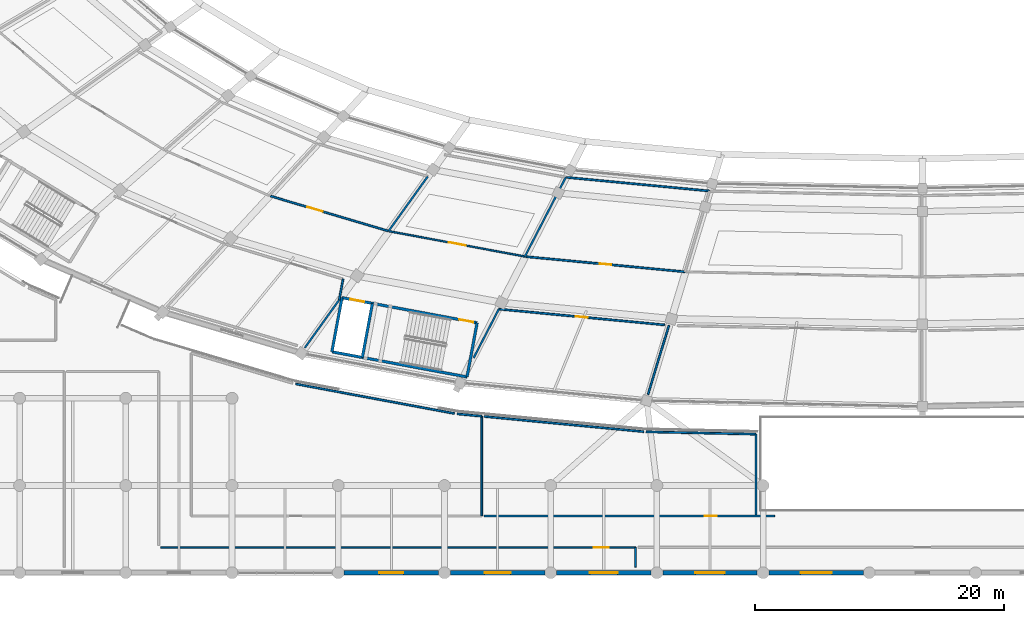
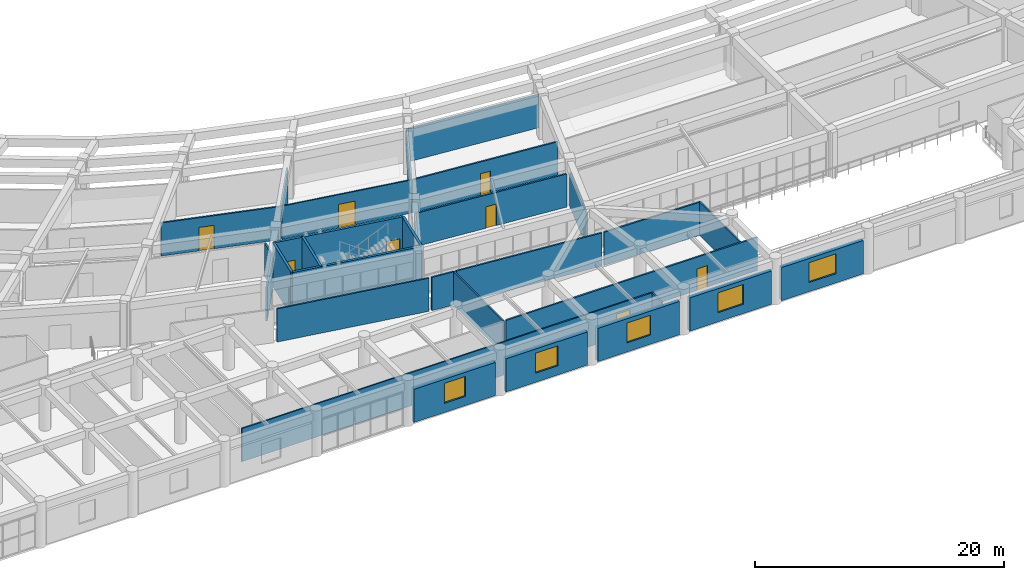
# One storey, part 95 of 145: 30 walls, 8 doors, 5 windows, 13 openings.
"""IFC4 building model written with IfcOpenShell, lengths in metres."""

from ifc_helpers import new_model, si_unit, direction, frame, frame_2d, origin, place, context, subcontext, project, spatial, rectangle, extrude, material, layer, layer_set, type_object, element, fill, save


model = new_model("IFC4")

# Units and contexts
model_context = context("Model", 3, precision=1e-05, world=origin(), true_north=direction((0.0, 1.0)))
body_context = subcontext(model_context, "Body", "Model", "MODEL_VIEW")
ifc_project = project(units=[si_unit("LENGTHUNIT", "METRE"), si_unit("AREAUNIT", "SQUARE_METRE"), si_unit("VOLUMEUNIT", "CUBIC_METRE"), si_unit("PLANEANGLEUNIT", "RADIAN"), si_unit("MASSUNIT", "GRAM", prefix="KILO")], contexts=[model_context])

# Site, building, storey
site_placement = place(None, origin())
site = spatial("IfcSite", under=ifc_project, at=site_placement, CompositionType="ELEMENT")
building_placement = place(site_placement, origin())
building = spatial("IfcBuilding", under=site, at=building_placement, Name="Mphavela Belvedere Stadium", CompositionType="ELEMENT")
storey_placement = place(building_placement, frame((0.0, 0.0, 10.199951171875)))
storey = spatial("IfcBuildingStorey", under=building, at=storey_placement, Name="L02", CompositionType="ELEMENT", Elevation=10.199951171875)

# Walls
ifc_material_1 = material(Name="Concrete C40/50", Category="concrete")
ifc_layer_1 = layer(ifc_material_1, 0.219970703125)
ifc_layer_set_1 = layer_set([ifc_layer_1], Name="Concrete C40/50")
wall_type_1 = type_object("IfcWallType", Name="WAL-CORE-SHEAR-220", PredefinedType="SHEAR", material=ifc_layer_set_1)
wall_1_placement = place(storey_placement, frame((78.477294921875, 15.707275390625, 0.0), z_axis=(0.0, 0.0, 1.0), x_axis=(-0.983093434234, 0.183104613723, 0.0)))
element("IfcWall", 1, at=wall_1_placement, inside=storey, type_object=wall_type_1, Name="Core C11 shear wall L02 rear", PredefinedType="SHEAR", context=body_context, shape_type="SweptSolid", body=[
    extrude(rectangle(XDim=11.02001953125, YDim=0.219970703125, at=frame_2d((5.510009765625, 0.0))), origin(), (0.0, 0.0, 1.0), 4.25),
])
for number, where, z_axis, x_axis, name in (
    (2, (79.28466796875, 20.042724609375, 0.0), (0.0, 0.0, 1.0), (-0.183078394814, -0.983098317236, 0.0), "Core C11 shear wall L02 left"),
    (3, (68.450927734375, 22.060546875, 0.0), (0.0, 0.0, 1.0), (-0.183078394814, -0.983098317236, 0.0), "Core C11 shear wall L02 right"),
):
    element("IfcWall", number, at=place(storey_placement, frame(where, z_axis=z_axis, x_axis=x_axis)), inside=storey, type_object=wall_type_1, Name=name, PredefinedType="SHEAR", context=body_context, shape_type="SweptSolid", body=[
        extrude(rectangle(XDim=4.409912109375, YDim=0.219970703125, at=frame_2d((2.205078125, 0.0))), origin(), (0.0, 0.0, 1.0), 4.25),
    ])

# Wall, openings, doors
wall_2_placement = place(storey_placement, frame((79.28466796875, 20.042724609375, 0.0), z_axis=(0.0, 0.0, 1.0), x_axis=(-0.983093434234, 0.183104613723, 0.0)))
wall_2 = element("IfcWall", 4, at=wall_2_placement, inside=storey, type_object=wall_type_1, Name="Core C11 shear wall L02 front", PredefinedType="SHEAR", context=body_context, shape_type="SweptSolid", body=[
    extrude(rectangle(XDim=11.02001953125, YDim=0.219970703125, at=frame_2d((5.510009765625, 0.0))), origin(), (0.0, 0.0, 1.0), 4.25),
])
opening_1_placement = place(wall_2_placement, frame((0.300048828125, 0.0, 0.0)))
opening_1 = element("IfcOpeningElement", 5, at=opening_1_placement, cuts=wall_2, Name="Opening SD-059", PredefinedType="OPENING", context=body_context, shape_type="SweptSolid", body=[
    extrude(rectangle(XDim=1.14990234375, YDim=2.14990234375, at=frame_2d((0.574951171875, 1.074951171875))), frame((0.0, 0.1201171875, 0.0), z_axis=(0.0, -1.0, 0.0), x_axis=(1.0, 0.0, 0.0)), (0.0, 0.0, 1.0), 0.239990234375),
])
opening_2_placement = place(wall_2_placement, frame((9.22998046875, 0.0, 0.0)))
opening_2 = element("IfcOpeningElement", 6, at=opening_2_placement, cuts=wall_2, Name="Opening LD-059", PredefinedType="OPENING", context=body_context, shape_type="SweptSolid", body=[
    extrude(rectangle(XDim=1.10009765625, YDim=2.14990234375, at=frame_2d((0.550048828125, 1.074951171875))), frame((0.0, 0.1201171875, 0.0), z_axis=(0.0, -1.0, 0.0), x_axis=(1.0, 0.0, 0.0)), (0.0, 0.0, 1.0), 0.239990234375),
])
ifc_material_2 = material(Name="Stainless steel center-parting lift landing door", Category="steel")
door_type_1 = type_object("IfcDoorType", Name="DR-LIFT-SLIDE-1100", OperationType="NOTDEFINED", PredefinedType="DOOR", material=ifc_material_2)
door_1_placement = place(opening_2_placement, origin())
door_1 = element("IfcDoor", 7, at=door_1_placement, inside=storey, type_object=door_type_1, Name="Lift landing sliding door PL05 L02", OperationType="DOUBLE_DOOR_SLIDING", OverallHeight=2.14990234375, OverallWidth=1.10009765625, PredefinedType="DOOR", context=body_context, shape_type="SweptSolid", body=[
    extrude(rectangle(XDim=1.10009765625, YDim=2.14990234375, at=frame_2d((0.550048828125, 1.074951171875))), frame((0.0, 0.02490234375, 0.0), z_axis=(0.0, -1.0, 0.0), x_axis=(1.0, 0.0, 0.0)), (0.0, 0.0, 1.0), 0.050048828125),
])
fill(opening_2, door_1)
ifc_material_3 = material(Name="Steel acoustic fire-resisting stair doorset", Category="steel")
door_type_2 = type_object("IfcDoorType", Name="DR-STAIR-FIRE-1150", OperationType="NOTDEFINED", PredefinedType="DOOR", material=ifc_material_3)
door_2_placement = place(opening_1_placement, origin())
door_2 = element("IfcDoor", 8, at=door_2_placement, inside=storey, type_object=door_type_2, Name="Escape stair fire door C11 L02", OperationType="SINGLE_SWING_LEFT", OverallHeight=2.14990234375, OverallWidth=1.14990234375, PredefinedType="DOOR", context=body_context, shape_type="SweptSolid", body=[
    extrude(rectangle(XDim=1.14990234375, YDim=2.14990234375, at=frame_2d((0.574951171875, 1.074951171875))), frame((0.0, 0.02490234375, 0.0), z_axis=(0.0, -1.0, 0.0), x_axis=(1.0, 0.0, 0.0)), (0.0, 0.0, 1.0), 0.050048828125),
])
fill(opening_1, door_2)

# Wall
wall_3_placement = place(storey_placement, frame((70.888916015625, 21.6064453125, 0.0), z_axis=(0.0, 0.0, 1.0), x_axis=(-0.183078394814, -0.983098317236, 0.0)))
element("IfcWall", 9, at=wall_3_placement, inside=storey, type_object=wall_type_1, Name="Core C11 shear wall L02 div", PredefinedType="SHEAR", context=body_context, shape_type="SweptSolid", body=[
    extrude(rectangle(XDim=4.409912109375, YDim=0.219970703125, at=frame_2d((2.205078125, 0.0))), origin(), (0.0, 0.0, 1.0), 4.25),
])

# Wall, opening, window
ifc_material_4 = material(Name="Honed ashlar limestone masonry", Category="masonry")
ifc_layer_2 = layer(ifc_material_4, 0.35009765625)
ifc_layer_set_2 = layer_set([ifc_layer_2], Name="Honed ashlar limestone masonry")
wall_type_2 = type_object("IfcWallType", Name="WAL-EXT-ASHLAR-350", PredefinedType="STANDARD", material=ifc_layer_set_2)
wall_4_placement = place(storey_placement, frame((76.194091796875, 0.0, 0.0), z_axis=(0.0, 0.0, 1.0), x_axis=(-1.0, 0.0, 0.0)))
wall_4 = element("IfcWall", 10, at=wall_4_placement, inside=storey, type_object=wall_type_2, Name="South Axial Triumphal Peristyle Portico outer facade bay L02-09", PredefinedType="STANDARD", context=body_context, shape_type="SweptSolid", body=[
    extrude(rectangle(XDim=7.572998046875, YDim=0.35009765625, at=frame_2d((3.78662109375, 0.0))), origin(), (0.0, 0.0, 1.0), 3.260009765625),
])
opening_3_placement = place(wall_4_placement, frame((2.81640625, 0.0, 0.89990234375)))
opening_3 = element("IfcOpeningElement", 11, at=opening_3_placement, cuts=wall_4, Name="Opening W-073", PredefinedType="OPENING", context=body_context, shape_type="SweptSolid", body=[
    extrude(rectangle(XDim=1.93994140625, YDim=1.949951171875, at=frame_2d((0.969970703125, 0.97509765625))), frame((0.0, 0.18505859375, 0.0), z_axis=(0.0, -1.0, 0.0), x_axis=(1.0, 0.0, 0.0)), (0.0, 0.0, 1.0), 0.3701171875),
])
ifc_material_5 = material(Name="Bronze-anodised thermally broken aluminium window", Category="aluminium")
window_type_1 = type_object("IfcWindowType", Name="WIN-EXT-29", PartitioningType="SINGLE_PANEL", PredefinedType="WINDOW", material=ifc_material_5)
window_1_placement = place(opening_3_placement, origin())
window_1 = element("IfcWindow", 12, at=window_1_placement, inside=storey, type_object=window_type_1, Name="South Axial Triumphal Peristyle Portico classical window W-073", OverallHeight=1.949951171875, OverallWidth=1.93994140625, PartitioningType="SINGLE_PANEL", PredefinedType="WINDOW", context=body_context, shape_type="SweptSolid", body=[
    extrude(rectangle(XDim=1.93994140625, YDim=1.949951171875, at=frame_2d((0.969970703125, 0.97509765625))), frame((0.0, 0.030029296875, 0.0), z_axis=(0.0, -1.0, 0.0), x_axis=(1.0, 0.0, 0.0)), (0.0, 0.0, 1.0), 0.06005859375),
])
fill(opening_3, window_1)

wall_5_placement = place(storey_placement, frame((84.7119140625, 0.0, 0.0), z_axis=(0.0, 0.0, 1.0), x_axis=(-1.0, 0.0, 0.0)))
wall_5 = element("IfcWall", 13, at=wall_5_placement, inside=storey, type_object=wall_type_2, Name="South Axial Triumphal Peristyle Portico outer facade bay L02-10", PredefinedType="STANDARD", context=body_context, shape_type="SweptSolid", body=[
    extrude(rectangle(XDim=7.572021484375, YDim=0.35009765625, at=frame_2d((3.7861328125, 0.0))), origin(), (0.0, 0.0, 1.0), 3.260009765625),
])
opening_4_placement = place(wall_5_placement, frame((2.74609375, 0.0, 0.89990234375)))
opening_4 = element("IfcOpeningElement", 14, at=opening_4_placement, cuts=wall_5, Name="Opening W-074", PredefinedType="OPENING", context=body_context, shape_type="SweptSolid", body=[
    extrude(rectangle(XDim=2.080078125, YDim=1.949951171875, at=frame_2d((1.0400390625, 0.97509765625))), frame((0.0, 0.18505859375, 0.0), z_axis=(0.0, -1.0, 0.0), x_axis=(1.0, 0.0, 0.0)), (0.0, 0.0, 1.0), 0.3701171875),
])
ifc_material_6 = material(Name="Bronze-anodised thermally broken aluminium window", Category="aluminium")
window_type_2 = type_object("IfcWindowType", Name="WIN-EXT-30", PartitioningType="SINGLE_PANEL", PredefinedType="WINDOW", material=ifc_material_6)
window_2_placement = place(opening_4_placement, origin())
window_2 = element("IfcWindow", 15, at=window_2_placement, inside=storey, type_object=window_type_2, Name="South Axial Triumphal Peristyle Portico classical window W-074", OverallHeight=1.949951171875, OverallWidth=2.080078125, PartitioningType="SINGLE_PANEL", PredefinedType="WINDOW", context=body_context, shape_type="SweptSolid", body=[
    extrude(rectangle(XDim=2.080078125, YDim=1.949951171875, at=frame_2d((1.0400390625, 0.97509765625))), frame((0.0, 0.030029296875, 0.0), z_axis=(0.0, -1.0, 0.0), x_axis=(1.0, 0.0, 0.0)), (0.0, 0.0, 1.0), 0.06005859375),
])
fill(opening_4, window_2)

wall_6_placement = place(storey_placement, frame((93.23095703125, 0.0, 0.0), z_axis=(0.0, 0.0, 1.0), x_axis=(-1.0, 0.0, 0.0)))
wall_6 = element("IfcWall", 16, at=wall_6_placement, inside=storey, type_object=wall_type_2, Name="South Axial Triumphal Peristyle Portico outer facade bay L02-11", PredefinedType="STANDARD", context=body_context, shape_type="SweptSolid", body=[
    extrude(rectangle(XDim=7.572998046875, YDim=0.35009765625, at=frame_2d((3.78662109375, 0.0))), origin(), (0.0, 0.0, 1.0), 3.260009765625),
])
opening_5_placement = place(wall_6_placement, frame((2.676513671875, 0.0, 0.89990234375)))
opening_5 = element("IfcOpeningElement", 17, at=opening_5_placement, cuts=wall_6, Name="Opening W-075", PredefinedType="OPENING", context=body_context, shape_type="SweptSolid", body=[
    extrude(rectangle(XDim=2.219970703125, YDim=1.949951171875, at=frame_2d((1.10986328125, 0.97509765625))), frame((0.0, 0.18505859375, 0.0), z_axis=(0.0, -1.0, 0.0), x_axis=(1.0, 0.0, 0.0)), (0.0, 0.0, 1.0), 0.3701171875),
])
ifc_material_7 = material(Name="Bronze-anodised thermally broken aluminium window", Category="aluminium")
window_type_3 = type_object("IfcWindowType", Name="WIN-EXT-31", PartitioningType="SINGLE_PANEL", PredefinedType="WINDOW", material=ifc_material_7)
window_3_placement = place(opening_5_placement, origin())
window_3 = element("IfcWindow", 18, at=window_3_placement, inside=storey, type_object=window_type_3, Name="South Axial Triumphal Peristyle Portico classical window W-075", OverallHeight=1.949951171875, OverallWidth=2.219970703125, PartitioningType="SINGLE_PANEL", PredefinedType="WINDOW", context=body_context, shape_type="SweptSolid", body=[
    extrude(rectangle(XDim=2.219970703125, YDim=1.949951171875, at=frame_2d((1.10986328125, 0.97509765625))), frame((0.0, 0.030029296875, 0.0), z_axis=(0.0, -1.0, 0.0), x_axis=(1.0, 0.0, 0.0)), (0.0, 0.0, 1.0), 0.06005859375),
])
fill(opening_5, window_3)

wall_7_placement = place(storey_placement, frame((101.7490234375, 0.0, 0.0), z_axis=(0.0, 0.0, 1.0), x_axis=(-1.0, 0.0, 0.0)))
wall_7 = element("IfcWall", 19, at=wall_7_placement, inside=storey, type_object=wall_type_2, Name="South Axial Triumphal Peristyle Portico outer facade bay L02-12", PredefinedType="STANDARD", context=body_context, shape_type="SweptSolid", body=[
    extrude(rectangle(XDim=7.572021484375, YDim=0.35009765625, at=frame_2d((3.7861328125, 0.0))), origin(), (0.0, 0.0, 1.0), 3.260009765625),
])
opening_6_placement = place(wall_7_placement, frame((2.60595703125, 0.0, 0.89990234375)))
opening_6 = element("IfcOpeningElement", 20, at=opening_6_placement, cuts=wall_7, Name="Opening W-076", PredefinedType="OPENING", context=body_context, shape_type="SweptSolid", body=[
    extrude(rectangle(XDim=2.360107421875, YDim=1.949951171875, at=frame_2d((1.18017578125, 0.97509765625))), frame((0.0, 0.18505859375, 0.0), z_axis=(0.0, -1.0, 0.0), x_axis=(1.0, 0.0, 0.0)), (0.0, 0.0, 1.0), 0.3701171875),
])
ifc_material_8 = material(Name="Bronze-anodised thermally broken aluminium window", Category="aluminium")
window_type_4 = type_object("IfcWindowType", Name="WIN-EXT-32", PartitioningType="SINGLE_PANEL", PredefinedType="WINDOW", material=ifc_material_8)
window_4_placement = place(opening_6_placement, origin())
window_4 = element("IfcWindow", 21, at=window_4_placement, inside=storey, type_object=window_type_4, Name="South Axial Triumphal Peristyle Portico classical window W-076", OverallHeight=1.949951171875, OverallWidth=2.360107421875, PartitioningType="SINGLE_PANEL", PredefinedType="WINDOW", context=body_context, shape_type="SweptSolid", body=[
    extrude(rectangle(XDim=2.360107421875, YDim=1.949951171875, at=frame_2d((1.18017578125, 0.97509765625))), frame((0.0, 0.030029296875, 0.0), z_axis=(0.0, -1.0, 0.0), x_axis=(1.0, 0.0, 0.0)), (0.0, 0.0, 1.0), 0.06005859375),
])
fill(opening_6, window_4)

wall_8_placement = place(storey_placement, frame((110.26806640625, 0.0, 0.0), z_axis=(0.0, 0.0, 1.0), x_axis=(-1.0, 0.0, 0.0)))
wall_8 = element("IfcWall", 22, at=wall_8_placement, inside=storey, type_object=wall_type_2, Name="South Axial Triumphal Peristyle Portico outer facade bay L02-13", PredefinedType="STANDARD", context=body_context, shape_type="SweptSolid", body=[
    extrude(rectangle(XDim=7.572998046875, YDim=0.35009765625, at=frame_2d((3.78662109375, 0.0))), origin(), (0.0, 0.0, 1.0), 3.260009765625),
])
opening_7_placement = place(wall_8_placement, frame((2.526611328125, 0.0, 0.89990234375)))
opening_7 = element("IfcOpeningElement", 23, at=opening_7_placement, cuts=wall_8, Name="Opening W-077", PredefinedType="OPENING", context=body_context, shape_type="SweptSolid", body=[
    extrude(rectangle(XDim=2.52001953125, YDim=1.949951171875, at=frame_2d((1.260009765625, 0.97509765625))), frame((0.0, 0.18505859375, 0.0), z_axis=(0.0, -1.0, 0.0), x_axis=(1.0, 0.0, 0.0)), (0.0, 0.0, 1.0), 0.3701171875),
])
ifc_material_9 = material(Name="Bronze-anodised thermally broken aluminium window", Category="aluminium")
window_type_5 = type_object("IfcWindowType", Name="WIN-EXT-33", PartitioningType="SINGLE_PANEL", PredefinedType="WINDOW", material=ifc_material_9)
window_5_placement = place(opening_7_placement, origin())
window_5 = element("IfcWindow", 24, at=window_5_placement, inside=storey, type_object=window_type_5, Name="South Axial Triumphal Peristyle Portico classical window W-077", OverallHeight=1.949951171875, OverallWidth=2.52001953125, PartitioningType="SINGLE_PANEL", PredefinedType="WINDOW", context=body_context, shape_type="SweptSolid", body=[
    extrude(rectangle(XDim=2.52001953125, YDim=1.949951171875, at=frame_2d((1.260009765625, 0.97509765625))), frame((0.0, 0.030029296875, 0.0), z_axis=(0.0, -1.0, 0.0), x_axis=(1.0, 0.0, 0.0)), (0.0, 0.0, 1.0), 0.06005859375),
])
fill(opening_7, window_5)

# Wall, opening, door
ifc_material_10 = material(Name="Moisture-resistant sanitary partition assembly")
ifc_layer_3 = layer(ifc_material_10, 0.125)
ifc_layer_set_3 = layer_set([ifc_layer_3], Name="Moisture-resistant sanitary partition assembly")
wall_type_3 = type_object("IfcWallType", Name="WAL-PART-125", PredefinedType="PARTITIONING", material=ifc_layer_set_3)
wall_9_placement = place(storey_placement, frame((83.116455078125, 25.365478515625, 0.0), z_axis=(0.0, 0.0, 1.0), x_axis=(-0.983097372707, 0.183083466695, 0.0)))
wall_9 = element("IfcWall", 25, at=wall_9_placement, inside=storey, type_object=wall_type_3, Name="Room L02-120 corridor partition", PredefinedType="PARTITIONING", context=body_context, shape_type="SweptSolid", body=[
    extrude(rectangle(XDim=11.03466796875, YDim=0.125, at=frame_2d((5.517333984375, 0.0))), origin(), (0.0, 0.0, 1.0), 3.25),
])
opening_8_placement = place(wall_9_placement, frame((4.8173828125, 0.0, 0.0)))
opening_8 = element("IfcOpeningElement", 26, at=opening_8_placement, cuts=wall_9, Name="Opening ID-216", PredefinedType="OPENING", context=body_context, shape_type="SweptSolid", body=[
    extrude(rectangle(XDim=1.39990234375, YDim=2.300048828125, at=frame_2d((0.699951171875, 1.14990234375))), frame((0.0, 0.072509765625, 0.0), z_axis=(0.0, -1.0, 0.0), x_axis=(1.0, 0.0, 0.0)), (0.0, 0.0, 1.0), 0.14501953125),
])
ifc_material_11 = material(Name="Hardwood acoustic timber doorset", Category="wood")
door_type_3 = type_object("IfcDoorType", Name="DR-INT-36", OperationType="NOTDEFINED", PredefinedType="DOOR", material=ifc_material_11)
door_3_placement = place(opening_8_placement, origin())
door_3 = element("IfcDoor", 27, at=door_3_placement, inside=storey, type_object=door_type_3, Name="Room L02-120 entrance door ID-216", OperationType="SINGLE_SWING_RIGHT", OverallHeight=2.300048828125, OverallWidth=1.39990234375, PredefinedType="DOOR", context=body_context, shape_type="SweptSolid", body=[
    extrude(rectangle(XDim=1.39990234375, YDim=2.300048828125, at=frame_2d((0.699951171875, 1.14990234375))), frame((0.0, 0.02490234375, 0.0), z_axis=(0.0, -1.0, 0.0), x_axis=(1.0, 0.0, 0.0)), (0.0, 0.0, 1.0), 0.050048828125),
])
fill(opening_8, door_3)

wall_10_placement = place(storey_placement, frame((53.89990234375, 2.0400390625, 0.0), z_axis=(0.0, 0.0, 1.0), x_axis=(1.0, 0.0, 0.0)))
wall_10 = element("IfcWall", 28, at=wall_10_placement, inside=storey, type_object=wall_type_3, Name="Room L02-163 corridor partition", PredefinedType="PARTITIONING", context=body_context, shape_type="SweptSolid", body=[
    extrude(rectangle(XDim=38.090087890625, YDim=0.125, at=frame_2d((19.044921875, 0.0))), origin(), (0.0, 0.0, 1.0), 3.25),
])
opening_9_placement = place(wall_10_placement, frame((34.738525390625, 0.0, 0.0)))
opening_9 = element("IfcOpeningElement", 29, at=opening_9_placement, cuts=wall_10, Name="Opening ID-393", PredefinedType="OPENING", context=body_context, shape_type="SweptSolid", body=[
    extrude(rectangle(XDim=1.219970703125, YDim=2.300048828125, at=frame_2d((0.60986328125, 1.14990234375))), frame((0.0, 0.072509765625, 0.0), z_axis=(0.0, -1.0, 0.0), x_axis=(1.0, 0.0, 0.0)), (0.0, 0.0, 1.0), 0.14501953125),
])
ifc_material_12 = material(Name="Hardwood acoustic timber doorset", Category="wood")
door_type_4 = type_object("IfcDoorType", Name="DR-INT-33", OperationType="NOTDEFINED", PredefinedType="DOOR", material=ifc_material_12)
door_4_placement = place(opening_9_placement, origin())
door_4 = element("IfcDoor", 30, at=door_4_placement, inside=storey, type_object=door_type_4, Name="Room L02-163 entrance door ID-393", OperationType="SINGLE_SWING_LEFT", OverallHeight=2.300048828125, OverallWidth=1.219970703125, PredefinedType="DOOR", context=body_context, shape_type="SweptSolid", body=[
    extrude(rectangle(XDim=1.219970703125, YDim=2.300048828125, at=frame_2d((0.60986328125, 1.14990234375))), frame((0.0, 0.02490234375, 0.0), z_axis=(0.0, -1.0, 0.0), x_axis=(1.0, 0.0, 0.0)), (0.0, 0.0, 1.0), 0.050048828125),
])
fill(opening_9, door_4)

ifc_material_13 = material(Name="Acoustic gypsum stud partition assembly")
ifc_layer_4 = layer(ifc_material_13, 0.14990234375)
ifc_layer_set_4 = layer_set([ifc_layer_4], Name="Acoustic gypsum stud partition assembly")
wall_type_4 = type_object("IfcWallType", Name="WAL-PART-150", PredefinedType="PARTITIONING", material=ifc_layer_set_4)
wall_11_placement = place(storey_placement, frame((72.183349609375, 27.404296875, 0.0), z_axis=(0.0, 0.0, 1.0), x_axis=(-0.958655809656, 0.284568161629, 0.0)))
wall_11 = element("IfcWall", 31, at=wall_11_placement, inside=storey, type_object=wall_type_4, Name="Room L02-117 corridor partition", PredefinedType="PARTITIONING", context=body_context, shape_type="SweptSolid", body=[
    extrude(rectangle(XDim=9.89111328125, YDim=0.14990234375, at=frame_2d((4.945556640625, 0.0))), origin(), (0.0, 0.0, 1.0), 3.25),
])
opening_10_placement = place(wall_11_placement, frame((5.51416015625, 0.0, 0.0)))
opening_10 = element("IfcOpeningElement", 32, at=opening_10_placement, cuts=wall_11, Name="Opening ID-214", PredefinedType="OPENING", context=body_context, shape_type="SweptSolid", body=[
    extrude(rectangle(XDim=1.260009765625, YDim=2.300048828125, at=frame_2d((0.6298828125, 1.14990234375))), frame((0.0, 0.0849609375, 0.0), z_axis=(0.0, -1.0, 0.0), x_axis=(1.0, 0.0, 0.0)), (0.0, 0.0, 1.0), 0.169921875),
])
ifc_material_14 = material(Name="Hardwood acoustic timber doorset", Category="wood")
door_type_5 = type_object("IfcDoorType", Name="DR-INT-34", OperationType="NOTDEFINED", PredefinedType="DOOR", material=ifc_material_14)
door_5_placement = place(opening_10_placement, origin())
door_5 = element("IfcDoor", 33, at=door_5_placement, inside=storey, type_object=door_type_5, Name="Room L02-117 entrance door ID-214", OperationType="SINGLE_SWING_RIGHT", OverallHeight=2.300048828125, OverallWidth=1.260009765625, PredefinedType="DOOR", context=body_context, shape_type="SweptSolid", body=[
    extrude(rectangle(XDim=1.260009765625, YDim=2.300048828125, at=frame_2d((0.6298828125, 1.14990234375))), frame((0.0, 0.02490234375, 0.0), z_axis=(0.0, -1.0, 0.0), x_axis=(1.0, 0.0, 0.0)), (0.0, 0.0, 1.0), 0.050048828125),
])
fill(opening_10, door_5)

wall_12_placement = place(storey_placement, frame((95.965087890625, 24.1376953125, 0.0), z_axis=(0.0, 0.0, 1.0), x_axis=(-0.995485111947, 0.094917816515, 0.0)))
wall_12 = element("IfcWall", 34, at=wall_12_placement, inside=storey, type_object=wall_type_4, Name="Room L02-122 corridor partition", PredefinedType="PARTITIONING", context=body_context, shape_type="SweptSolid", body=[
    extrude(rectangle(XDim=12.822021484375, YDim=0.14990234375, at=frame_2d((6.4111328125, 0.0))), origin(), (0.0, 0.0, 1.0), 3.25),
])
opening_11_placement = place(wall_12_placement, frame((5.9609375, 0.0, 0.0)))
opening_11 = element("IfcOpeningElement", 35, at=opening_11_placement, cuts=wall_12, Name="Opening ID-217", PredefinedType="OPENING", context=body_context, shape_type="SweptSolid", body=[
    extrude(rectangle(XDim=0.89990234375, YDim=2.10009765625, at=frame_2d((0.449951171875, 1.050048828125))), frame((0.0, 0.0849609375, 0.0), z_axis=(0.0, -1.0, 0.0), x_axis=(1.0, 0.0, 0.0)), (0.0, 0.0, 1.0), 0.169921875),
])
ifc_material_15 = material(Name="Hardwood acoustic timber doorset", Category="wood")
door_type_6 = type_object("IfcDoorType", Name="DR-INT-01", OperationType="NOTDEFINED", PredefinedType="DOOR", material=ifc_material_15)
door_6_placement = place(opening_11_placement, origin())
door_6 = element("IfcDoor", 36, at=door_6_placement, inside=storey, type_object=door_type_6, Name="Room L02-122 entrance door ID-217", OperationType="SINGLE_SWING_LEFT", OverallHeight=2.10009765625, OverallWidth=0.89990234375, PredefinedType="DOOR", context=body_context, shape_type="SweptSolid", body=[
    extrude(rectangle(XDim=0.89990234375, YDim=2.10009765625, at=frame_2d((0.449951171875, 1.050048828125))), frame((0.0, 0.02490234375, 0.0), z_axis=(0.0, -1.0, 0.0), x_axis=(1.0, 0.0, 0.0)), (0.0, 0.0, 1.0), 0.050048828125),
])
fill(opening_11, door_6)

wall_13_placement = place(storey_placement, frame((81.028076171875, 21.148193359375, 0.0), z_axis=(0.0, 0.0, 1.0), x_axis=(0.995484535327, -0.094923863827, 0.0)))
wall_13 = element("IfcWall", 37, at=wall_13_placement, inside=storey, type_object=wall_type_4, Name="Room L02-123 corridor partition", PredefinedType="PARTITIONING", context=body_context, shape_type="SweptSolid", body=[
    extrude(rectangle(XDim=13.35107421875, YDim=0.14990234375, at=frame_2d((6.675537109375, 0.0))), origin(), (0.0, 0.0, 1.0), 3.25),
])
opening_12_placement = place(wall_13_placement, frame((6.20556640625, 0.0, 0.0)))
opening_12 = element("IfcOpeningElement", 38, at=opening_12_placement, cuts=wall_13, Name="Opening ID-218", PredefinedType="OPENING", context=body_context, shape_type="SweptSolid", body=[
    extrude(rectangle(XDim=0.93994140625, YDim=2.10009765625, at=frame_2d((0.469970703125, 1.050048828125))), frame((0.0, 0.0849609375, 0.0), z_axis=(0.0, -1.0, 0.0), x_axis=(1.0, 0.0, 0.0)), (0.0, 0.0, 1.0), 0.169921875),
])
ifc_material_16 = material(Name="Hardwood acoustic timber doorset", Category="wood")
door_type_7 = type_object("IfcDoorType", Name="DR-INT-02", OperationType="NOTDEFINED", PredefinedType="DOOR", material=ifc_material_16)
door_7_placement = place(opening_12_placement, origin())
door_7 = element("IfcDoor", 39, at=door_7_placement, inside=storey, type_object=door_type_7, Name="Room L02-123 entrance door ID-218", OperationType="SINGLE_SWING_RIGHT", OverallHeight=2.10009765625, OverallWidth=0.93994140625, PredefinedType="DOOR", context=body_context, shape_type="SweptSolid", body=[
    extrude(rectangle(XDim=0.93994140625, YDim=2.10009765625, at=frame_2d((0.469970703125, 1.050048828125))), frame((0.0, 0.02490234375, 0.0), z_axis=(0.0, -1.0, 0.0), x_axis=(1.0, 0.0, 0.0)), (0.0, 0.0, 1.0), 0.050048828125),
])
fill(opening_12, door_7)

wall_14_placement = place(storey_placement, frame((103.152099609375, 4.56005859375, 0.0), z_axis=(0.0, 0.0, 1.0), x_axis=(-1.0, 0.0, 0.0)))
wall_14 = element("IfcWall", 40, at=wall_14_placement, inside=storey, type_object=wall_type_4, Name="Room L02-168 corridor partition", PredefinedType="PARTITIONING", context=body_context, shape_type="SweptSolid", body=[
    extrude(rectangle(XDim=23.296142578125, YDim=0.14990234375, at=frame_2d((11.64794921875, 0.0))), origin(), (0.0, 0.0, 1.0), 3.25),
])
opening_13_placement = place(wall_14_placement, frame((4.6630859375, 0.0, 0.0)))
opening_13 = element("IfcOpeningElement", 41, at=opening_13_placement, cuts=wall_14, Name="Opening ID-398", PredefinedType="OPENING", context=body_context, shape_type="SweptSolid", body=[
    extrude(rectangle(XDim=0.93994140625, YDim=2.10009765625, at=frame_2d((0.469970703125, 1.050048828125))), frame((0.0, 0.0849609375, 0.0), z_axis=(0.0, -1.0, 0.0), x_axis=(1.0, 0.0, 0.0)), (0.0, 0.0, 1.0), 0.169921875),
])
door_8_placement = place(opening_13_placement, origin())
door_8 = element("IfcDoor", 42, at=door_8_placement, inside=storey, type_object=door_type_7, Name="Room L02-168 entrance door ID-398", OperationType="SINGLE_SWING_RIGHT", OverallHeight=2.10009765625, OverallWidth=0.93994140625, PredefinedType="DOOR", context=body_context, shape_type="SweptSolid", body=[
    extrude(rectangle(XDim=0.93994140625, YDim=2.10009765625, at=frame_2d((0.469970703125, 1.050048828125))), frame((0.0, 0.02490234375, 0.0), z_axis=(0.0, -1.0, 0.0), x_axis=(1.0, 0.0, 0.0)), (0.0, 0.0, 1.0), 0.050048828125),
])
fill(opening_13, door_8)

# Walls
wall_15_placement = place(storey_placement, frame((75.32861328125, 31.78759765625, 0.0), z_axis=(0.0, 0.0, 1.0), x_axis=(-0.582996203878, -0.812474877313, 0.0)))
element("IfcWall", 43, at=wall_15_placement, inside=storey, type_object=wall_type_4, Name="Room divider partition L02-0384", PredefinedType="PARTITIONING", context=body_context, shape_type="SweptSolid", body=[
    extrude(rectangle(XDim=5.39501953125, YDim=0.14990234375, at=frame_2d((2.697509765625, 0.0))), origin(), (0.0, 0.0, 1.0), 3.25),
])
wall_16_placement = place(storey_placement, frame((68.536865234375, 23.55908203125, 0.0), z_axis=(0.0, 0.0, 1.0), x_axis=(-0.183185863857, -0.983078297636, 0.0)))
element("IfcWall", 44, at=wall_16_placement, inside=storey, type_object=wall_type_4, Name="Room divider partition L02-0385", PredefinedType="PARTITIONING", context=body_context, shape_type="SweptSolid", body=[
    extrude(rectangle(XDim=1.697998046875, YDim=0.14990234375, at=frame_2d((0.84912109375, 0.0))), origin(), (0.0, 0.0, 1.0), 3.25),
])
wall_17_placement = place(storey_placement, frame((68.225830078125, 21.889892578125, 0.0), z_axis=(0.0, 0.0, 1.0), x_axis=(-0.583007019162, -0.812467116632, 0.0)))
element("IfcWall", 45, at=wall_17_placement, inside=storey, type_object=wall_type_4, Name="Room divider partition L02-0386", PredefinedType="PARTITIONING", context=body_context, shape_type="SweptSolid", body=[
    extrude(rectangle(XDim=4.73583984375, YDim=0.14990234375, at=frame_2d((2.367919921875, 0.0))), origin(), (0.0, 0.0, 1.0), 3.25),
])
wall_18_placement = place(storey_placement, frame((86.400634765625, 31.72314453125, 0.0), z_axis=(0.0, 0.0, 1.0), x_axis=(-0.458952278776, -0.888460919685, 0.0)))
element("IfcWall", 46, at=wall_18_placement, inside=storey, type_object=wall_type_4, Name="Room divider partition L02-0389", PredefinedType="PARTITIONING", context=body_context, shape_type="SweptSolid", body=[
    extrude(rectangle(XDim=7.15576171875, YDim=0.14990234375, at=frame_2d((3.577880859375, 0.0))), origin(), (0.0, 0.0, 1.0), 3.25),
])
wall_19_placement = place(storey_placement, frame((86.48388671875, 31.710205078125, 0.0), z_axis=(0.0, 0.0, 1.0), x_axis=(0.995484580871, -0.094923386203, 0.0)))
element("IfcWall", 47, at=wall_19_placement, inside=storey, type_object=wall_type_4, Name="Room divider partition L02-0390", PredefinedType="PARTITIONING", context=body_context, shape_type="SweptSolid", body=[
    extrude(rectangle(XDim=11.49169921875, YDim=0.14990234375, at=frame_2d((5.745849609375, 0.0))), origin(), (0.0, 0.0, 1.0), 3.25),
])
wall_20_placement = place(storey_placement, frame((79.005615234375, 17.23291015625, 0.0), z_axis=(0.0, 0.0, 1.0), x_axis=(0.458942068402, 0.888466193983, 0.0)))
element("IfcWall", 48, at=wall_20_placement, inside=storey, type_object=wall_type_4, Name="Room divider partition L02-0392", PredefinedType="PARTITIONING", context=body_context, shape_type="SweptSolid", body=[
    extrude(rectangle(XDim=4.40673828125, YDim=0.14990234375, at=frame_2d((2.203369140625, 0.0))), origin(), (0.0, 0.0, 1.0), 3.25),
])
wall_21_placement = place(storey_placement, frame((94.6689453125, 19.847412109375, 0.0), z_axis=(0.0, 0.0, 1.0), x_axis=(-0.289236092688, -0.957257793223, 0.0)))
element("IfcWall", 49, at=wall_21_placement, inside=storey, type_object=wall_type_4, Name="Room divider partition L02-0393", PredefinedType="PARTITIONING", context=body_context, shape_type="SweptSolid", body=[
    extrude(rectangle(XDim=5.798828125, YDim=0.14990234375, at=frame_2d((2.8994140625, 0.0))), origin(), (0.0, 0.0, 1.0), 3.25),
])
wall_22_placement = place(storey_placement, frame((91.989990234375, 2.0400390625, 0.0), z_axis=(0.0, 0.0, 1.0), x_axis=(0.0, -1.0, 0.0)))
element("IfcWall", 50, at=wall_22_placement, inside=storey, type_object=wall_type_4, Name="Room divider partition L02-0758", PredefinedType="PARTITIONING", context=body_context, shape_type="SweptSolid", body=[
    extrude(rectangle(XDim=1.590087890625, YDim=0.14990234375, at=frame_2d((0.794921875, 0.0))), origin(), (0.0, 0.0, 1.0), 3.25),
])
wall_23_placement = place(storey_placement, frame((64.7412109375, 15.1455078125, 0.0), z_axis=(0.0, 0.0, 1.0), x_axis=(0.983094545276, -0.183098648406, 0.0)))
element("IfcWall", 51, at=wall_23_placement, inside=storey, type_object=wall_type_4, Name="Room divider partition L02-0774", PredefinedType="PARTITIONING", context=body_context, shape_type="SweptSolid", body=[
    extrude(rectangle(XDim=12.947265625, YDim=0.14990234375, at=frame_2d((6.4736328125, 0.0))), origin(), (0.0, 0.0, 1.0), 3.25),
])
wall_24_placement = place(storey_placement, frame((77.68994140625, 12.743896484375, 0.0), z_axis=(0.0, 0.0, 1.0), x_axis=(0.995483241572, -0.094937430712, 0.0)))
element("IfcWall", 52, at=wall_24_placement, inside=storey, type_object=wall_type_4, Name="Room divider partition L02-0775", PredefinedType="PARTITIONING", context=body_context, shape_type="SweptSolid", body=[
    extrude(rectangle(XDim=1.97509765625, YDim=0.14990234375, at=frame_2d((0.987548828125, 0.0))), origin(), (0.0, 0.0, 1.0), 3.25),
])
wall_25_placement = place(storey_placement, frame((79.656005859375, 12.556396484375, 0.0), z_axis=(0.0, 0.0, 1.0), x_axis=(0.0, -1.0, 0.0)))
element("IfcWall", 53, at=wall_25_placement, inside=storey, type_object=wall_type_4, Name="Room divider partition L02-0776", PredefinedType="PARTITIONING", context=body_context, shape_type="SweptSolid", body=[
    extrude(rectangle(XDim=7.996337890625, YDim=0.14990234375, at=frame_2d((3.998046875, 0.0))), origin(), (0.0, 0.0, 1.0), 3.25),
])
wall_26_placement = place(storey_placement, frame((92.83154296875, 11.306884765625, 0.0), z_axis=(0.0, 0.0, 1.0), x_axis=(0.999768109674, -0.021534318641, 0.0)))
element("IfcWall", 54, at=wall_26_placement, inside=storey, type_object=wall_type_4, Name="Room divider partition L02-0779", PredefinedType="PARTITIONING", context=body_context, shape_type="SweptSolid", body=[
    extrude(rectangle(XDim=8.8203125, YDim=0.14990234375, at=frame_2d((4.41015625, 0.0))), origin(), (0.0, 0.0, 1.0), 3.25),
])
wall_27_placement = place(storey_placement, frame((101.64990234375, 11.116943359375, 0.0), z_axis=(0.0, 0.0, 1.0), x_axis=(0.0, -1.0, 0.0)))
element("IfcWall", 55, at=wall_27_placement, inside=storey, type_object=wall_type_4, Name="Room divider partition L02-0780", PredefinedType="PARTITIONING", context=body_context, shape_type="SweptSolid", body=[
    extrude(rectangle(XDim=6.467041015625, YDim=0.14990234375, at=frame_2d((3.2333984375, 0.0))), origin(), (0.0, 0.0, 1.0), 3.25),
])
wall_28_placement = place(storey_placement, frame((79.85595703125, 12.537353515625, 0.0), z_axis=(0.0, 0.0, 1.0), x_axis=(0.995483253835, -0.094937302124, 0.0)))
element("IfcWall", 56, at=wall_28_placement, inside=storey, type_object=wall_type_4, Name="Room divider partition L02-0781", PredefinedType="PARTITIONING", context=body_context, shape_type="SweptSolid", body=[
    extrude(rectangle(XDim=12.850341796875, YDim=0.14990234375, at=frame_2d((6.42529296875, 0.0))), origin(), (0.0, 0.0, 1.0), 3.25),
])

save(model, "model.ifc")
